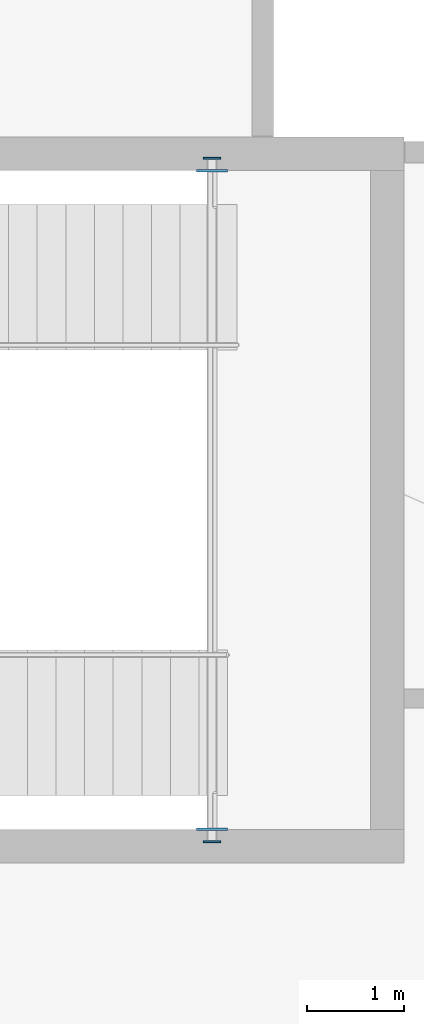
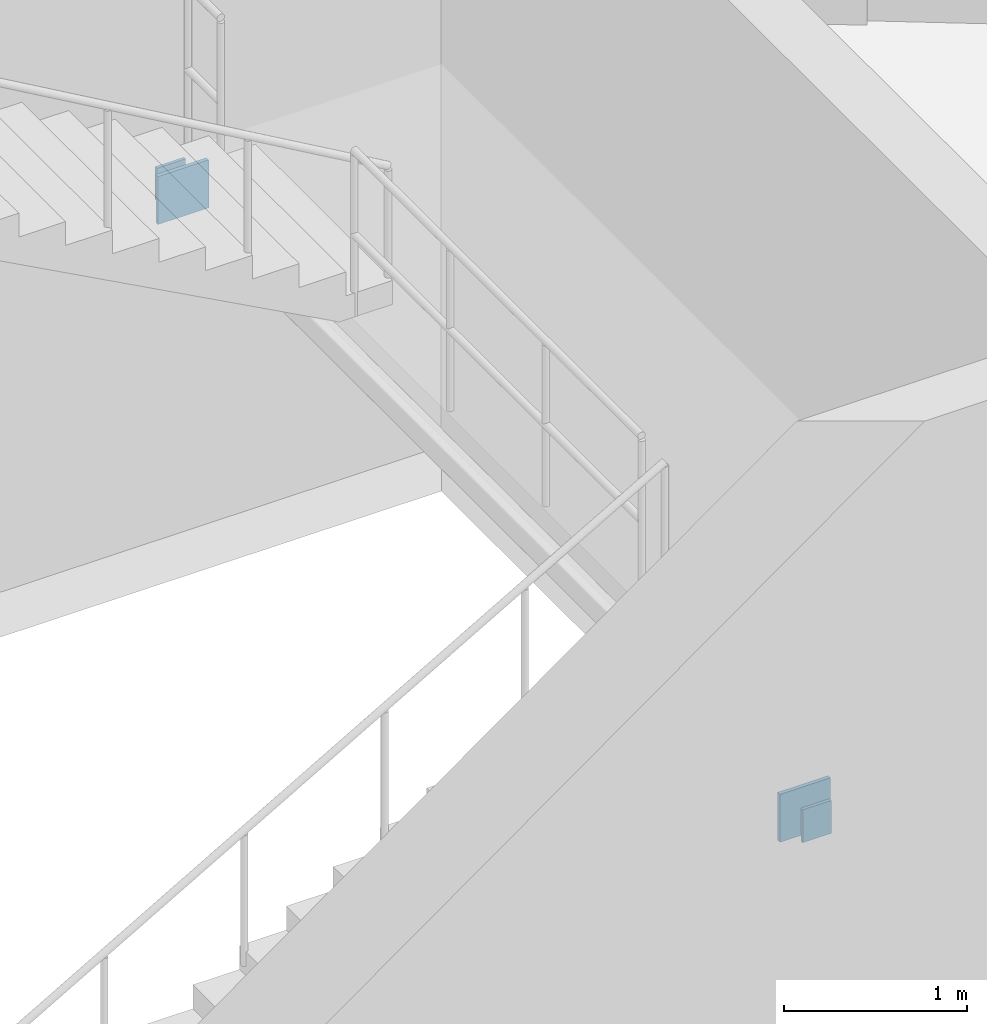
# One storey, part 31 of 68: 4 plates.
"""IFC4 building model written with IfcOpenShell, lengths in metres."""

from ifc_helpers import new_model, si_unit, direction, frame, origin, origin_2d, place, context, subcontext, project, spatial, rectangle, extrude, material, layer, layer_set, type_object, element, save


model = new_model("IFC4")

# Units and contexts
model_context = context("Model", 3, precision=1e-05, world=origin(), true_north=direction((0.0, 1.0)))
body_context = subcontext(model_context, "Body", "Model", "MODEL_VIEW")
ifc_project = project(units=[si_unit("LENGTHUNIT", "METRE"), si_unit("AREAUNIT", "SQUARE_METRE"), si_unit("VOLUMEUNIT", "CUBIC_METRE"), si_unit("PLANEANGLEUNIT", "RADIAN"), si_unit("MASSUNIT", "GRAM", prefix="KILO"), si_unit("THERMODYNAMICTEMPERATUREUNIT", "KELVIN"), si_unit("POWERUNIT", "WATT")], contexts=[model_context])

# Site, building, storey
site_placement = place(None, origin())
site = spatial("IfcSite", under=ifc_project, at=site_placement, CompositionType="ELEMENT")
building_placement = place(site_placement, origin())
building = spatial("IfcBuilding", under=site, at=building_placement, Name="Solvatero Civic Police Headquarters", CompositionType="ELEMENT")
storey_placement = place(building_placement, origin())
storey = spatial("IfcBuildingStorey", under=building, at=storey_placement, Name="L00", CompositionType="ELEMENT", Elevation=0.0)

# Plates
ifc_material = material(Name="Steel S355", Category="steel")
ifc_layer_1 = layer(ifc_material, 0.02001953125)
ifc_layer_set_1 = layer_set([ifc_layer_1], Name="Steel S355")
plate_type_1 = type_object("IfcPlateType", Name="PLT-CAP-20", PredefinedType="SHEET", material=ifc_layer_set_1)
for number, where, z_axis, x_axis, name in (
    (1, (46.965087890625, 42.469970703125, 2.1650390625), (0.0, 0.0, 1.0), (1.0, 0.0, 0.0), "Hollow Section Cap Plate 0023"),
    (2, (46.965087890625, 49.530029296875, 2.1650390625), (0.0, 0.0, 1.0), (1.0, 0.0, 0.0), "Hollow Section Cap Plate 0024"),
):
    element("IfcPlate", number, at=place(storey_placement, frame(where, z_axis=z_axis, x_axis=x_axis)), inside=storey, type_object=plate_type_1, Name=name, PredefinedType="SHEET", context=body_context, shape_type="SweptSolid", body=[
        extrude(rectangle(XDim=0.179931640625, YDim=0.02001953125, at=origin_2d()), origin(), (0.0, 0.0, 1.0), 0.219970703125),
    ])
ifc_layer_2 = layer(ifc_material, 0.02490234375)
ifc_layer_set_2 = layer_set([ifc_layer_2], Name="Steel S355")
plate_type_2 = type_object("IfcPlateType", Name="PLT-EMB-25", PredefinedType="SHEET", material=ifc_layer_set_2)
for number, where, z_axis, x_axis, name in (
    (3, (46.965087890625, 42.60009765625, 2.11474609375), (0.0, 0.0, 1.0), (1.0, 0.0, 0.0), "Cast-In Shear Wall Embed Plate 0023"),
    (4, (46.965087890625, 49.39990234375, 2.11474609375), (0.0, 0.0, 1.0), (1.0, 0.0, 0.0), "Cast-In Shear Wall Embed Plate 0024"),
):
    element("IfcPlate", number, at=place(storey_placement, frame(where, z_axis=z_axis, x_axis=x_axis)), inside=storey, type_object=plate_type_2, Name=name, PredefinedType="SHEET", context=body_context, shape_type="SweptSolid", body=[
        extrude(rectangle(XDim=0.320068359375, YDim=0.02490234375, at=origin_2d()), origin(), (0.0, 0.0, 1.0), 0.320068359375),
    ])

save(model, "model.ifc")
